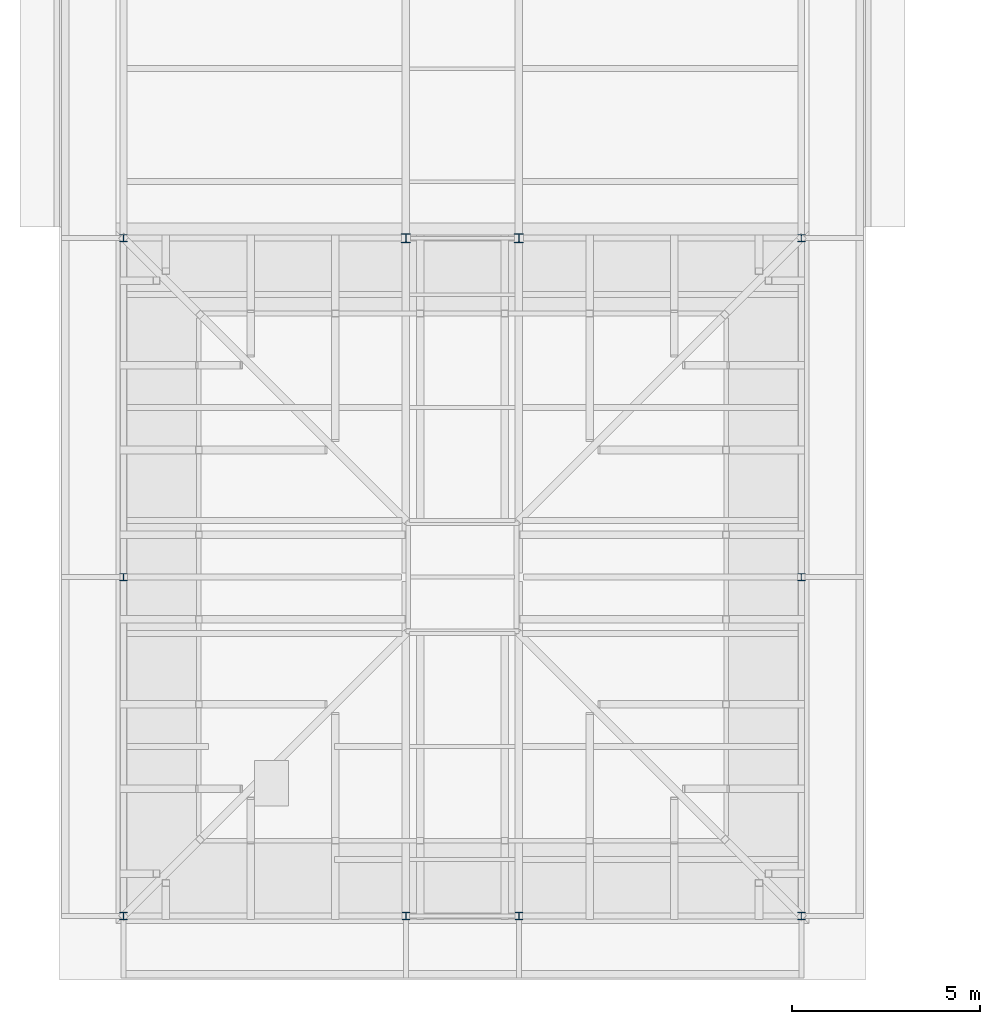
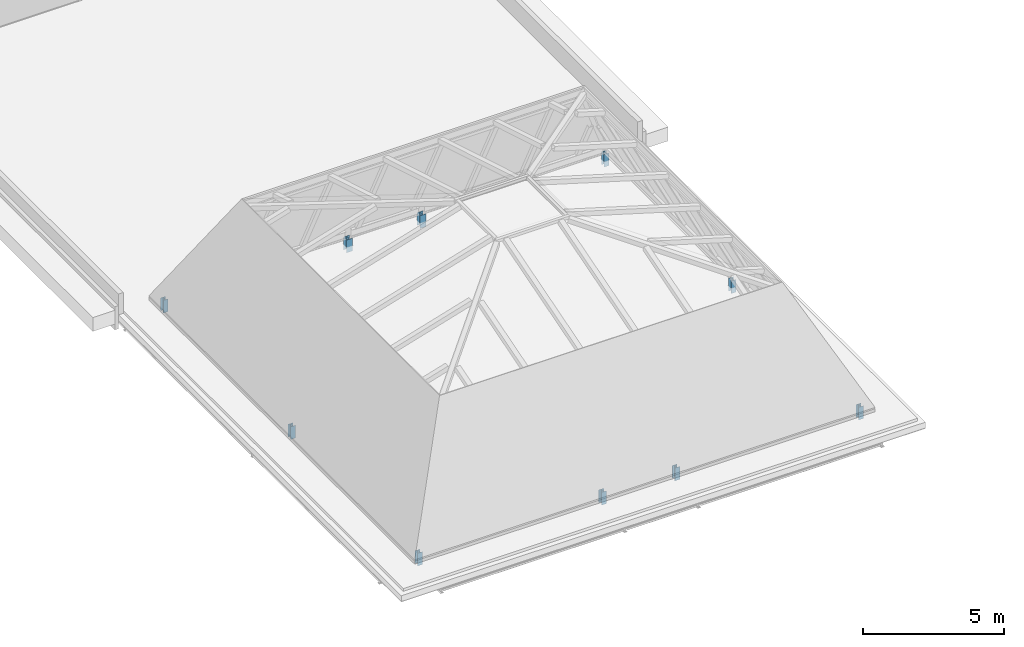
# One storey, part 3 of 29: 10 columns.
"""IFC4 building model written with IfcOpenShell, lengths in metres."""

import ifcopenshell
import ifcopenshell.guid

model = None  # the IFC model being written
_history = None  # IfcOwnerHistory: only IFC2X3 demands one
_inside = {}  # id of a spatial element -> (the spatial element, [elements in it])
_under = {}  # id of a project, library or spatial element -> (it, [spatial elements below it])
_declared = {}  # id of a project -> (the project, [libraries it declares])
_typed = {}  # id of a type object -> (the type object, [elements of that type])
_made_of = {}  # id of a material, layer set ... -> (it, [elements and type objects made of it])


def new_model(schema):
    """Start an empty IFC model of exactly this schema.

    Asked for "IFC4X3", IfcOpenShell would pick the latest addendum, in which some entities
    have other attributes; the version numbers below select the first issue.
    IFC2X3 requires an IfcOwnerHistory on every rooted entity: one is made here for all.
    """
    global model, _history
    if schema == "IFC4X3":
        model = ifcopenshell.file(schema_version=(4, 3, 0, 0))
    else:
        model = ifcopenshell.file(schema=schema)
    _inside.clear()
    _under.clear()
    _declared.clear()
    _typed.clear()
    _made_of.clear()
    _history = None
    if model.schema == "IFC2X3":
        org = make("IfcOrganization", Name="unknown")
        user = make(
            "IfcPersonAndOrganization",
            ThePerson=make("IfcPerson", FamilyName="unknown"),
            TheOrganization=org,
        )
        app = make(
            "IfcApplication",
            ApplicationDeveloper=org,
            Version="unknown",
            ApplicationFullName="unknown",
            ApplicationIdentifier="unknown",
        )
        _history = make(
            "IfcOwnerHistory",
            OwningUser=user,
            OwningApplication=app,
            ChangeAction="ADDED",
            CreationDate=0,
        )
    return model


def make(cls, **values):
    """One entity of the class cls with the attributes given. An attribute that is None is left unset."""
    return model.create_entity(
        cls, **{name: value for name, value in values.items() if value is not None}
    )


def rooted(cls, **values):
    """An entity with a GlobalId (a new one), such as an element, a storey or a relation."""
    return make(cls, GlobalId=ifcopenshell.guid.new(), OwnerHistory=_history, **values)


def si_unit(unit_type, name, prefix=None):
    """IfcSIUnit, for example si_unit("LENGTHUNIT", "METRE", prefix="MILLI")."""
    return make("IfcSIUnit", UnitType=unit_type, Prefix=prefix, Name=name)


def assignment(units):
    """IfcUnitAssignment: the units of a project."""
    return None if units is None else make("IfcUnitAssignment", Units=units)


def point(xyz):
    """IfcCartesianPoint."""
    return None if xyz is None else make("IfcCartesianPoint", Coordinates=xyz)


def direction(xyz):
    """IfcDirection."""
    return None if xyz is None else make("IfcDirection", DirectionRatios=xyz)


def frame(location, z_axis=None, x_axis=None):
    """IfcAxis2Placement3D, a coordinate frame: its origin and axes. An axis left out is left unset."""
    return make(
        "IfcAxis2Placement3D",
        Location=point(location),
        Axis=direction(z_axis),
        RefDirection=direction(x_axis),
    )


def frame_2d(location, x_axis=None):
    """IfcAxis2Placement2D, a coordinate frame in the plane: its origin and x axis."""
    return make(
        "IfcAxis2Placement2D", Location=point(location), RefDirection=direction(x_axis)
    )


def origin():
    """The frame at (0, 0, 0) with its axes left unset."""
    return frame((0.0, 0.0, 0.0))


def origin_2d():
    """The frame at (0, 0) in the plane with its x axis left unset."""
    return frame_2d((0.0, 0.0))


def place(relative_to, where):
    """IfcLocalPlacement: puts the frame where relative to a parent placement (None: the world)."""
    return make(
        "IfcLocalPlacement", PlacementRelTo=relative_to, RelativePlacement=where
    )


def context(
    kind, dimensions, precision=None, world=None, true_north=None, identifier=None
):
    """IfcGeometricRepresentationContext, for example the 3D "Model" context."""
    return make(
        "IfcGeometricRepresentationContext",
        ContextIdentifier=identifier,
        ContextType=kind,
        CoordinateSpaceDimension=dimensions,
        Precision=precision,
        WorldCoordinateSystem=world,
        TrueNorth=true_north,
    )


def subcontext(parent, identifier, kind, view, scale=None):
    """IfcGeometricRepresentationSubContext, for example "Body" below "Model"."""
    return make(
        "IfcGeometricRepresentationSubContext",
        ContextIdentifier=identifier,
        ContextType=kind,
        ParentContext=parent,
        TargetScale=scale,
        TargetView=view,
    )


def project(units=None, contexts=None):
    """IfcProject with its units and contexts."""
    return rooted(
        "IfcProject",
        Name="project",
        RepresentationContexts=contexts,
        UnitsInContext=assignment(units),
    )


def spatial(cls, under=None, at=None, **own):
    """A site, building, storey or space (cls), placed at a placement, below another one or the project."""
    s = rooted(cls, ObjectPlacement=at, **own)
    if under is not None:
        _under.setdefault(under.id(), (under, []))[1].append(s)
    return s


def profile(cls, at=None, kind="AREA", **sizes):
    """A parametric profile (cls). Its sizes go by their IFC names, for example OverallWidth=200.0."""
    return make(cls, ProfileType=kind, Position=at, **sizes)


def i_section(**sizes):
    """IfcIShapeProfileDef."""
    return profile("IfcIShapeProfileDef", **sizes)


def extrude(swept, where, along, depth):
    """IfcExtrudedAreaSolid: the profile swept, set in the frame where, extruded along a direction by depth."""
    return make(
        "IfcExtrudedAreaSolid",
        SweptArea=swept,
        Position=where,
        ExtrudedDirection=direction(along),
        Depth=depth,
    )


def shape(context_of_items, identifier, shape_type, items):
    """IfcShapeRepresentation: the items that make up one representation, for example the "Body"."""
    return make(
        "IfcShapeRepresentation",
        ContextOfItems=context_of_items,
        RepresentationIdentifier=identifier,
        RepresentationType=shape_type,
        Items=items,
    )


def material(Name=None, Category=None):
    """IfcMaterial."""
    return make("IfcMaterial", Name=Name, Category=Category)


def material_profile(
    of_material, cross_section, Name=None, Category=None, Priority=None
):
    """IfcMaterialProfile: a cross section and its material."""
    return make(
        "IfcMaterialProfile",
        Name=Name,
        Material=of_material,
        Profile=cross_section,
        Priority=Priority,
        Category=Category,
    )


def profile_set(profiles, Name=None, composite=None):
    """IfcMaterialProfileSet."""
    return make(
        "IfcMaterialProfileSet",
        Name=Name,
        MaterialProfiles=profiles,
        CompositeProfile=composite,
    )


def made_of(thing, what):
    """Note that an element or type object is made of a material, layer set ...; save() writes the relation."""
    if what is not None:
        _made_of.setdefault(what.id(), (what, []))[1].append(thing)
    return thing


def type_object(cls, material=None, **own):
    """A type object (cls), such as IfcWallType, which elements share."""
    return made_of(rooted(cls, **own), material)


def element(
    cls,
    number,
    at=None,
    inside=None,
    cuts=None,
    type_object=None,
    material=None,
    context=None,
    identifier="Body",
    shape_type=None,
    held_by="IfcProductDefinitionShape",
    body=None,
    shapes=None,
    **own,
):
    """One element of the class cls, such as IfcWall. Its Tag is "e" and its number.

    at: its placement. inside: the storey or other place that contains it. cuts: it is an
    opening in that element (IfcRelVoidsElement). A single representation is given by context,
    identifier, shape_type and body (its items); several are given by shapes. held_by: the class
    of the entity that holds the representations. save() writes the other relations.
    """
    e = rooted(cls, Tag="e%d" % number, ObjectPlacement=at, **own)
    if body is not None:
        shapes = [shape(context, identifier, shape_type, body)]
    if shapes is not None:
        e.Representation = make(held_by, Representations=shapes)
    if inside is not None:
        _inside.setdefault(inside.id(), (inside, []))[1].append(e)
    if cuts is not None:
        rooted(
            "IfcRelVoidsElement", RelatingBuildingElement=cuts, RelatedOpeningElement=e
        )
    if type_object is not None:
        _typed.setdefault(type_object.id(), (type_object, []))[1].append(e)
    return made_of(e, material)


def aggregate(whole, parts):
    """IfcRelAggregates: a whole, such as a stair, and the parts it consists of."""
    return rooted("IfcRelAggregates", RelatingObject=whole, RelatedObjects=parts)


def save(model, path):
    """Write the relations noted so far, then the file.

    IfcRelAggregates (storeys below a building ...), IfcRelContainedInSpatialStructure (elements
    in a storey), IfcRelDefinesByType, IfcRelAssociatesMaterial and IfcRelDeclares: one each for
    every whole, place, type object, material and project.
    """
    for whole, parts in _under.values():
        aggregate(whole, parts)
    for where, things in _inside.values():
        rooted(
            "IfcRelContainedInSpatialStructure",
            RelatedElements=things,
            RelatingStructure=where,
        )
    for kind, things in _typed.values():
        rooted("IfcRelDefinesByType", RelatedObjects=things, RelatingType=kind)
    for what, things in _made_of.values():
        rooted("IfcRelAssociatesMaterial", RelatedObjects=things, RelatingMaterial=what)
    for by, libraries in _declared.values():
        rooted("IfcRelDeclares", RelatingContext=by, RelatedDefinitions=libraries)
    model.write(path)


model = new_model("IFC4")

# Units and contexts
model_context = context("Model", 3, precision=1e-05, world=origin(), true_north=direction((0.0, 1.0)))
body_context = subcontext(model_context, "Body", "Model", "MODEL_VIEW")
ifc_project = project(units=[si_unit("LENGTHUNIT", "METRE"), si_unit("AREAUNIT", "SQUARE_METRE"), si_unit("VOLUMEUNIT", "CUBIC_METRE"), si_unit("PLANEANGLEUNIT", "RADIAN"), si_unit("MASSUNIT", "GRAM", prefix="KILO")], contexts=[model_context])

# Site, building, storey
site_placement = place(None, origin())
site = spatial("IfcSite", under=ifc_project, at=site_placement, CompositionType="ELEMENT")
building_placement = place(site_placement, origin())
building = spatial("IfcBuilding", under=site, at=building_placement, Name="Golden Quay Civic Hall", CompositionType="ELEMENT")
storey_placement = place(building_placement, frame((0.0, 0.0, 27.0)))
storey = spatial("IfcBuildingStorey", under=building, at=storey_placement, Name="L06", CompositionType="ELEMENT", Elevation=27.0)

# Columns
ifc_material_1 = material(Name="Steel S355", Category="steel")
ifc_material_profile_1 = material_profile(ifc_material_1, i_section(OverallWidth=0.199951171875, OverallDepth=0.18994140625, WebThickness=0.006591796875, FlangeThickness=0.010009765625, FilletRadius=0.01806640625, at=origin_2d()), Name="HEA 200")
ifc_profile_set_1 = profile_set([ifc_material_profile_1], Name="Steel S355")
column_type_1 = type_object("IfcColumnType", Name="Steel roof post HEA 200", PredefinedType="COLUMN", material=ifc_profile_set_1)
for number, where, z_axis, x_axis, name in (
    (1, (0.0, -9.0, -0.25), (0.0, 0.0, 1.0), (1.0, 0.0, 0.0), "Roof post 0/-9"),
    (2, (0.0, 0.0, -0.25), (0.0, 0.0, 1.0), (1.0, 0.0, 0.0), "Roof post 0/0"),
    (3, (0.0, 9.0, -0.25), (0.0, 0.0, 1.0), (1.0, 0.0, 0.0), "Roof post 0/9"),
    (4, (7.5, -9.0, -0.25), (0.0, 0.0, 1.0), (1.0, 0.0, 0.0), "Roof post 7.5/-9"),
    (5, (10.5, -9.0, -0.25), (0.0, 0.0, 1.0), (1.0, 0.0, 0.0), "Roof post 10.5/-9"),
    (6, (18.0, -9.0, -0.25), (0.0, 0.0, 1.0), (1.0, 0.0, 0.0), "Roof post 18/-9"),
    (7, (18.0, 0.0, -0.25), (0.0, 0.0, 1.0), (1.0, 0.0, 0.0), "Roof post 18/0"),
    (8, (18.0, 9.0, -0.25), (0.0, 0.0, 1.0), (1.0, 0.0, 0.0), "Roof post 18/9"),
):
    element("IfcColumn", number, at=place(storey_placement, frame(where, z_axis=z_axis, x_axis=x_axis)), inside=storey, type_object=column_type_1, Name=name, PredefinedType="COLUMN", context=body_context, shape_type="SweptSolid", body=[
        extrude(i_section(OverallWidth=0.199951171875, OverallDepth=0.18994140625, WebThickness=0.006591796875, FlangeThickness=0.010009765625, FilletRadius=0.01806640625, at=origin_2d()), origin(), (0.0, 0.0, 1.0), 0.550048828125),
    ])
ifc_material_2 = material(Name="Steel S355", Category="steel")
ifc_material_profile_2 = material_profile(ifc_material_2, i_section(OverallWidth=0.239990234375, OverallDepth=0.22998046875, WebThickness=0.007568359375, FlangeThickness=0.011962890625, FilletRadius=0.02099609375, at=origin_2d()), Name="HEA 240")
ifc_profile_set_2 = profile_set([ifc_material_profile_2], Name="Steel S355")
column_type_2 = type_object("IfcColumnType", Name="Steel roof post HEA 240", PredefinedType="COLUMN", material=ifc_profile_set_2)
for number, where, z_axis, x_axis, name in (
    (9, (7.5, 9.0, -0.25), (0.0, 0.0, 1.0), (1.0, 0.0, 0.0), "Roof post 7.5/9"),
    (10, (10.5, 9.0, -0.25), (0.0, 0.0, 1.0), (1.0, 0.0, 0.0), "Roof post 10.5/9"),
):
    element("IfcColumn", number, at=place(storey_placement, frame(where, z_axis=z_axis, x_axis=x_axis)), inside=storey, type_object=column_type_2, Name=name, PredefinedType="COLUMN", context=body_context, shape_type="SweptSolid", body=[
        extrude(i_section(OverallWidth=0.239990234375, OverallDepth=0.22998046875, WebThickness=0.007568359375, FlangeThickness=0.011962890625, FilletRadius=0.02099609375, at=origin_2d()), origin(), (0.0, 0.0, 1.0), 0.550048828125),
    ])

save(model, "model.ifc")
